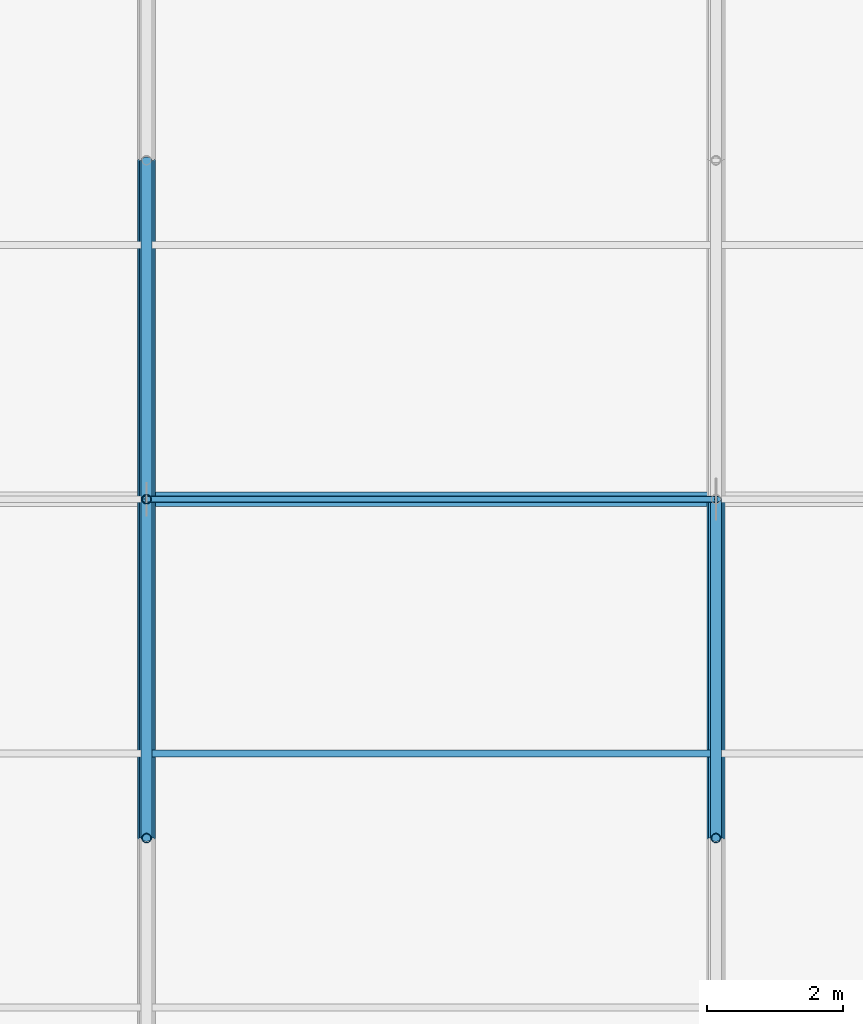
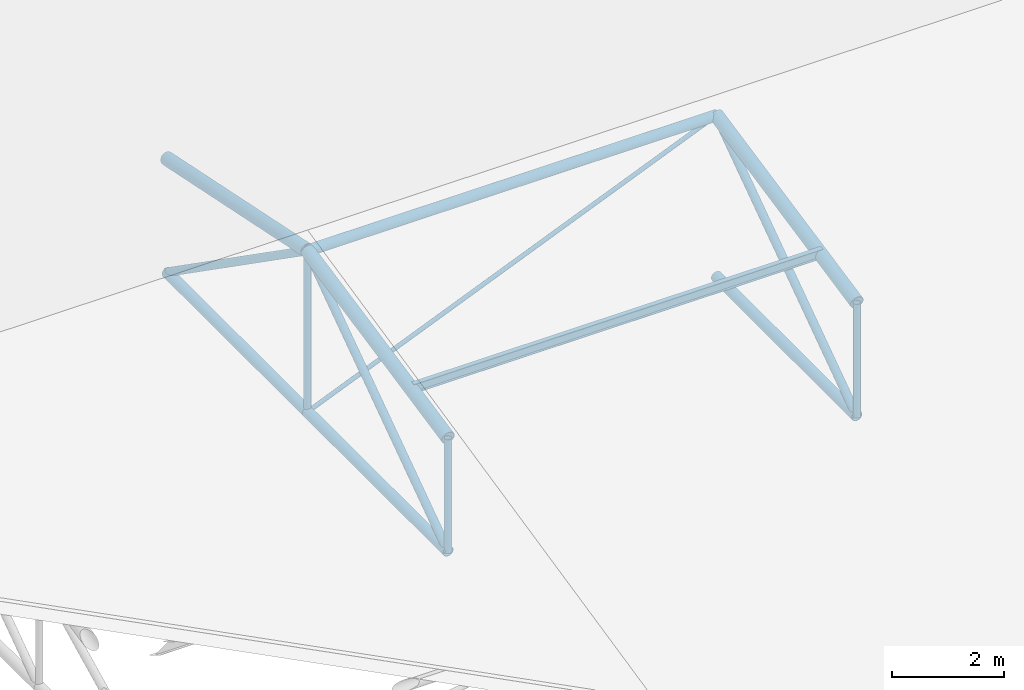
# One storey, part 76 of 194: 14 members, 1 beam.
"""IFC4 building model written with IfcOpenShell, lengths in metres."""

from ifc_helpers import new_model, si_unit, direction, frame, origin, origin_2d, place, context, subcontext, project, spatial, hollow_circle, i_section, extrude, material, material_profile, profile_set, type_object, element, save


model = new_model("IFC4")

# Units and contexts
model_context = context("Model", 3, precision=1e-05, world=origin(), true_north=direction((0.0, 1.0)))
body_context = subcontext(model_context, "Body", "Model", "MODEL_VIEW")
ifc_project = project(units=[si_unit("LENGTHUNIT", "METRE"), si_unit("AREAUNIT", "SQUARE_METRE"), si_unit("VOLUMEUNIT", "CUBIC_METRE"), si_unit("PLANEANGLEUNIT", "RADIAN"), si_unit("MASSUNIT", "GRAM", prefix="KILO")], contexts=[model_context])

# Site, building, storey
site_placement = place(None, origin())
site = spatial("IfcSite", under=ifc_project, at=site_placement, CompositionType="ELEMENT")
building_placement = place(site_placement, origin())
building = spatial("IfcBuilding", under=site, at=building_placement, Name="Kazenagashi Tramway Depot", CompositionType="ELEMENT")
storey_placement = place(building_placement, frame((0.0, 0.0, 23.7)))
storey = spatial("IfcBuildingStorey", under=building, at=storey_placement, Name="ROOF", CompositionType="ELEMENT", Elevation=23.7)

# Beam
ifc_material_1 = material(Name="Steel SN400B", Category="steel")
ifc_material_profile_1 = material_profile(ifc_material_1, i_section(OverallWidth=0.1, OverallDepth=0.2, WebThickness=0.0055, FlangeThickness=0.008, at=origin_2d()), Name="H-200x100x5.5x8")
ifc_profile_set_1 = profile_set([ifc_material_profile_1], Name="Steel SN400B")
beam_type = type_object("IfcBeamType", Name="PR-01", PredefinedType="USERDEFINED", material=ifc_profile_set_1)
beam_placement = place(storey_placement, frame((145.6, 81.25, -11.305), z_axis=(1.0, 0.0, 0.0), x_axis=(0.0, 1.0, 0.0)))
element("IfcBeam", 1, at=beam_placement, inside=storey, type_object=beam_type, Name="Beam PR-01 BM-2066", ObjectType="PURLIN", PredefinedType="USERDEFINED", context=body_context, shape_type="SweptSolid", body=[
    extrude(i_section(OverallWidth=0.1, OverallDepth=0.2, WebThickness=0.0055, FlangeThickness=0.008, at=origin_2d()), origin(), (0.0, 0.0, 1.0), 8.4),
])

# Members
ifc_material_2 = material(Name="Steel STK490", Category="steel")
ifc_material_profile_2 = material_profile(ifc_material_2, hollow_circle(Radius=0.1337, WallThickness=0.0093, at=origin_2d()), Name="CHS-267.4x9.3")
ifc_profile_set_2 = profile_set([ifc_material_profile_2], Name="Steel STK490")
member_type_1 = type_object("IfcMemberType", Name="TC-01", PredefinedType="CHORD", material=ifc_profile_set_2)
for number, where, z_axis, x_axis, name in (
    (2, (145.6, 80.0, -11.633), (0.0, 0.979317999984, 0.202327098797), (-1.0, 0.0, 0.0), "Tubular Space Frame TC-01 MEM-0739"),
    (3, (145.6, 85.0, -10.6), (0.0, 0.979317999984, -0.202327098797), (-1.0, 0.0, 0.0), "Tubular Space Frame TC-01 MEM-0742"),
    (4, (154.0, 80.0, -11.633), (0.0, 0.979317999984, 0.202327098797), (-1.0, 0.0, 0.0), "Tubular Space Frame TC-01 MEM-0800"),
):
    element("IfcMember", number, at=place(storey_placement, frame(where, z_axis=z_axis, x_axis=x_axis)), inside=storey, type_object=member_type_1, Name=name, PredefinedType="CHORD", context=body_context, shape_type="SweptSolid", body=[
        extrude(hollow_circle(Radius=0.1337, WallThickness=0.0093, at=origin_2d()), origin(), (0.0, 0.0, 1.0), 5.105594),
    ])
ifc_material_profile_3 = material_profile(ifc_material_2, hollow_circle(Radius=0.10815, WallThickness=0.0082, at=origin_2d()), Name="CHS-216.3x8.2")
ifc_profile_set_3 = profile_set([ifc_material_profile_3], Name="Steel STK490")
member_type_2 = type_object("IfcMemberType", Name="TC-02", PredefinedType="CHORD", material=ifc_profile_set_3)
for number, where, z_axis, x_axis, name in (
    (5, (145.6, 80.0, -14.1), (0.0, 1.0, 0.0), (-1.0, 0.0, 0.0), "Tubular Space Frame TC-02 MEM-0740"),
    (6, (145.6, 85.0, -14.1), (0.0, 1.0, 0.0), (-1.0, 0.0, 0.0), "Tubular Space Frame TC-02 MEM-0743"),
):
    element("IfcMember", number, at=place(storey_placement, frame(where, z_axis=z_axis, x_axis=x_axis)), inside=storey, type_object=member_type_2, Name=name, PredefinedType="CHORD", context=body_context, shape_type="SweptSolid", body=[
        extrude(hollow_circle(Radius=0.10815, WallThickness=0.0082, at=origin_2d()), origin(), (0.0, 0.0, 1.0), 5.0),
    ])
member_1_placement = place(storey_placement, frame((145.6, 85.0, -10.6), z_axis=(1.0, 0.0, 0.0), x_axis=(0.0, 1.0, 0.0)))
element("IfcMember", 7, at=member_1_placement, inside=storey, type_object=member_type_2, Name="Tubular Space Frame TC-02 MEM-0760", PredefinedType="CHORD", context=body_context, shape_type="SweptSolid", body=[
    extrude(hollow_circle(Radius=0.10815, WallThickness=0.0082, at=origin_2d()), origin(), (0.0, 0.0, 1.0), 8.4),
])
member_2_placement = place(storey_placement, frame((154.0, 80.0, -14.1), z_axis=(0.0, 1.0, 0.0), x_axis=(-1.0, 0.0, 0.0)))
element("IfcMember", 8, at=member_2_placement, inside=storey, type_object=member_type_2, Name="Tubular Space Frame TC-02 MEM-0801", PredefinedType="CHORD", context=body_context, shape_type="SweptSolid", body=[
    extrude(hollow_circle(Radius=0.10815, WallThickness=0.0082, at=origin_2d()), origin(), (0.0, 0.0, 1.0), 5.0),
])
ifc_material_profile_4 = material_profile(ifc_material_2, hollow_circle(Radius=0.0826, WallThickness=0.0071, at=origin_2d()), Name="CHS-165.2x7.1")
ifc_profile_set_4 = profile_set([ifc_material_profile_4], Name="Steel STK490")
member_type_3 = type_object("IfcMemberType", Name="TS-01", PredefinedType="STRUT", material=ifc_profile_set_4)
for number, where, z_axis, x_axis, name in (
    (9, (145.6, 80.0, -14.1), (0.0, 0.819231920519, 0.573462344363), (-1.0, 0.0, 0.0), "Tubular Space Frame TS-01 MEM-0741"),
    (10, (145.6, 85.0, -10.6), (0.0, 0.819231920519, -0.573462344363), (-1.0, 0.0, 0.0), "Tubular Space Frame TS-01 MEM-0744"),
    (11, (154.0, 80.0, -14.1), (0.0, 0.819231920519, 0.573462344363), (-1.0, 0.0, 0.0), "Tubular Space Frame TS-01 MEM-0802"),
):
    element("IfcMember", number, at=place(storey_placement, frame(where, z_axis=z_axis, x_axis=x_axis)), inside=storey, type_object=member_type_3, Name=name, PredefinedType="STRUT", context=body_context, shape_type="SweptSolid", body=[
        extrude(hollow_circle(Radius=0.0826, WallThickness=0.0071, at=origin_2d()), origin(), (0.0, 0.0, 1.0), 6.103278),
    ])
ifc_material_profile_5 = material_profile(ifc_material_2, hollow_circle(Radius=0.0699, WallThickness=0.0066, at=origin_2d()), Name="CHS-139.8x6.6")
ifc_profile_set_5 = profile_set([ifc_material_profile_5], Name="Steel STK490")
member_type_4 = type_object("IfcMemberType", Name="TS-02", PredefinedType="STRUT", material=ifc_profile_set_5)
member_3_placement = place(storey_placement, frame((145.6, 80.0, -14.1), z_axis=(0.0, 0.0, 1.0), x_axis=(1.0, 0.0, 0.0)))
element("IfcMember", 12, at=member_3_placement, inside=storey, type_object=member_type_4, Name="Tubular Space Frame TS-02 MEM-0753", PredefinedType="STRUT", context=body_context, shape_type="SweptSolid", body=[
    extrude(hollow_circle(Radius=0.0699, WallThickness=0.0066, at=origin_2d()), origin(), (0.0, 0.0, 1.0), 2.467),
])
member_4_placement = place(storey_placement, frame((145.6, 85.0, -14.1), z_axis=(0.0, 0.0, 1.0), x_axis=(1.0, 0.0, 0.0)))
element("IfcMember", 13, at=member_4_placement, inside=storey, type_object=member_type_4, Name="Tubular Space Frame TS-02 MEM-0754", PredefinedType="STRUT", context=body_context, shape_type="SweptSolid", body=[
    extrude(hollow_circle(Radius=0.0699, WallThickness=0.0066, at=origin_2d()), origin(), (0.0, 0.0, 1.0), 3.5),
])
member_5_placement = place(storey_placement, frame((154.0, 80.0, -14.1), z_axis=(0.0, 0.0, 1.0), x_axis=(1.0, 0.0, 0.0)))
element("IfcMember", 14, at=member_5_placement, inside=storey, type_object=member_type_4, Name="Tubular Space Frame TS-02 MEM-0814", PredefinedType="STRUT", context=body_context, shape_type="SweptSolid", body=[
    extrude(hollow_circle(Radius=0.0699, WallThickness=0.0066, at=origin_2d()), origin(), (0.0, 0.0, 1.0), 2.467),
])
ifc_material_3 = material(Name="Steel STK400", Category="steel")
ifc_material_profile_6 = material_profile(ifc_material_3, hollow_circle(Radius=0.04455, WallThickness=0.0042, at=origin_2d()), Name="CHS-89.1x4.2")
ifc_profile_set_6 = profile_set([ifc_material_profile_6], Name="Steel STK400")
member_type_5 = type_object("IfcMemberType", Name="TS-04", PredefinedType="STRUT", material=ifc_profile_set_6)
member_6_placement = place(storey_placement, frame((145.6, 85.0, -14.1), z_axis=(0.923076923077, 0.0, 0.384615384615), x_axis=(0.0, 1.0, 0.0)))
element("IfcMember", 15, at=member_6_placement, inside=storey, type_object=member_type_5, Name="Tubular Space Frame TS-04 MEM-0761", PredefinedType="STRUT", context=body_context, shape_type="SweptSolid", body=[
    extrude(hollow_circle(Radius=0.04455, WallThickness=0.0042, at=origin_2d()), origin(), (0.0, 0.0, 1.0), 9.1),
])

save(model, "model.ifc")
